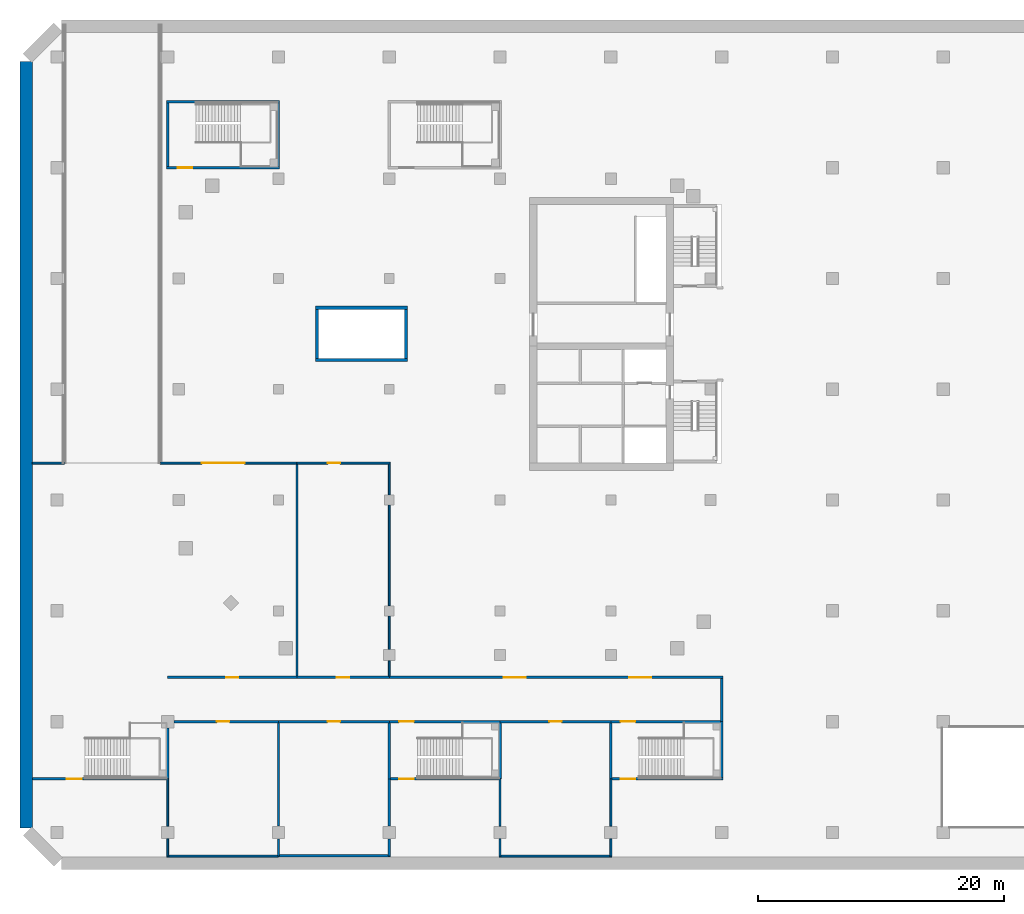
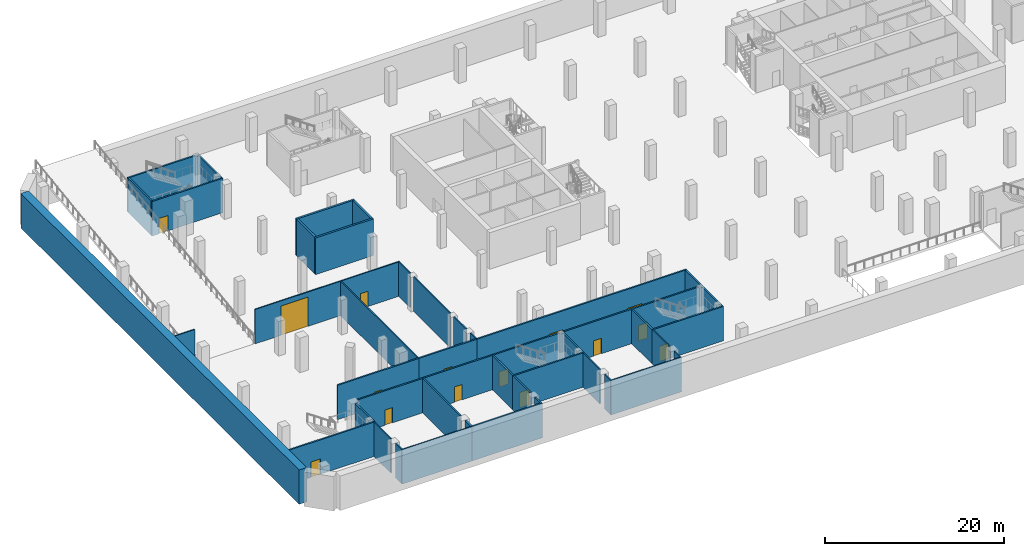
# One storey, part 4 of 19: 47 walls, 15 doors, 15 openings.
"""IFC4 building model written with IfcOpenShell, lengths in metres."""

from ifc_helpers import new_model, si_unit, direction, frame, frame_2d, origin, place, context, subcontext, project, spatial, rectangle, extrude, material, layer, layer_set, type_object, element, fill, save


model = new_model("IFC4")

# Units and contexts
model_context = context("Model", 3, precision=1e-05, world=origin(), true_north=direction((0.0, 1.0)))
body_context = subcontext(model_context, "Body", "Model", "MODEL_VIEW")
ifc_project = project(units=[si_unit("LENGTHUNIT", "METRE"), si_unit("AREAUNIT", "SQUARE_METRE"), si_unit("VOLUMEUNIT", "CUBIC_METRE"), si_unit("PLANEANGLEUNIT", "RADIAN"), si_unit("MASSUNIT", "GRAM", prefix="KILO")], contexts=[model_context])

# Site, building, storey
site_placement = place(None, origin())
site = spatial("IfcSite", under=ifc_project, at=site_placement, CompositionType="ELEMENT")
building_placement = place(site_placement, origin())
building = spatial("IfcBuilding", under=site, at=building_placement, Name="Cinnabar Reach Civic Tower", CompositionType="ELEMENT")
storey_placement = place(building_placement, frame((0.0, 0.0, -5.0)))
storey = spatial("IfcBuildingStorey", under=building, at=storey_placement, Name="B1", CompositionType="ELEMENT", Elevation=-5.0)

# Wall
ifc_material_1 = material(Name="Concrete C70", Category="concrete")
ifc_layer_1 = layer(ifc_material_1, 1.0)
ifc_layer_set_1 = layer_set([ifc_layer_1], Name="Basement wall 1000 EI 180")
wall_type_1 = type_object("IfcWallType", Name="Basement wall 1000 EI 180", PredefinedType="SOLIDWALL", material=ifc_layer_set_1)
wall_1_placement = place(storey_placement, frame((-83.5, -8.6408, 0.0), z_axis=(0.0, 0.0, 1.0), x_axis=(0.0, 1.0, 0.0)))
element("IfcWall", 1, at=wall_1_placement, inside=storey, type_object=wall_type_1, Name="Basement wall B1 2", PredefinedType="SOLIDWALL", context=body_context, shape_type="SweptSolid", body=[
    extrude(rectangle(XDim=62.2816, YDim=1.0, at=frame_2d((31.1408, 0.0))), origin(), (0.0, 0.0, 1.0), 4.7),
])

# Wall, opening, door
ifc_material_2 = material(Name="Concrete blockwork", Category="masonry")
ifc_layer_2 = layer(ifc_material_2, 0.2)
ifc_layer_set_2 = layer_set([ifc_layer_2], Name="Podium masonry corridor wall 200 EI 120")
wall_type_2 = type_object("IfcWallType", Name="Podium masonry corridor wall 200 EI 120", PredefinedType="PARTITIONING", material=ifc_layer_set_2)
wall_2_placement = place(storey_placement, frame((-71.48, 0.0, 0.0), z_axis=(0.0, 0.0, 1.0), x_axis=(1.0, 0.0, 0.0)))
wall_2 = element("IfcWall", 2, at=wall_2_placement, inside=storey, type_object=wall_type_2, Name="Wall B1 35", PredefinedType="PARTITIONING", context=body_context, shape_type="SweptSolid", body=[
    extrude(rectangle(XDim=8.48, YDim=0.2, at=frame_2d((4.24, 0.0))), origin(), (0.0, 0.0, 1.0), 4.7),
])
opening_1_placement = place(wall_2_placement, frame((3.48, 0.0, 0.0)))
opening_1 = element("IfcOpeningElement", 3, at=opening_1_placement, cuts=wall_2, Name="Opening D1297", PredefinedType="OPENING", context=body_context, shape_type="SweptSolid", body=[
    extrude(rectangle(XDim=1.0, YDim=2.1, at=frame_2d((0.5, 1.05))), frame((0.0, 0.11, 0.0), z_axis=(0.0, -1.0, 0.0), x_axis=(1.0, 0.0, 0.0)), (0.0, 0.0, 1.0), 0.22),
])
ifc_material_3 = material(Name="Painted steel door leaf", Category="steel")
door_type_1 = type_object("IfcDoorType", Name="Podium single door 1000x2100", OperationType="SINGLE_SWING_LEFT", PredefinedType="DOOR", material=ifc_material_3)
door_1_placement = place(opening_1_placement, frame((1.0, 0.0, 0.0), z_axis=(0.0, 0.0, 1.0), x_axis=(-1.0, 0.0, 0.0)))
door_1 = element("IfcDoor", 4, at=door_1_placement, inside=storey, type_object=door_type_1, Name="Door D1297", OperationType="SINGLE_SWING_RIGHT", OverallHeight=2.1, OverallWidth=1.0, PredefinedType="DOOR", context=body_context, shape_type="SweptSolid", body=[
    extrude(rectangle(XDim=1.0, YDim=2.1, at=frame_2d((0.5, 1.05))), frame((0.0, 0.025, 0.0), z_axis=(0.0, -1.0, 0.0), x_axis=(1.0, 0.0, 0.0)), (0.0, 0.0, 1.0), 0.05),
])
fill(opening_1, door_1)

wall_3_placement = place(storey_placement, frame((-63.0, 0.0, 0.0), z_axis=(0.0, 0.0, 1.0), x_axis=(1.0, 0.0, 0.0)))
wall_3 = element("IfcWall", 5, at=wall_3_placement, inside=storey, type_object=wall_type_2, Name="Wall B1 36", PredefinedType="PARTITIONING", context=body_context, shape_type="SweptSolid", body=[
    extrude(rectangle(XDim=9.0, YDim=0.2, at=frame_2d((4.5, 0.0))), origin(), (0.0, 0.0, 1.0), 4.7),
])
opening_2_placement = place(wall_3_placement, frame((4.0, 0.0, 0.0)))
opening_2 = element("IfcOpeningElement", 6, at=opening_2_placement, cuts=wall_3, Name="Opening D1298", PredefinedType="OPENING", context=body_context, shape_type="SweptSolid", body=[
    extrude(rectangle(XDim=1.0, YDim=2.1, at=frame_2d((0.5, 1.05))), frame((0.0, 0.11, 0.0), z_axis=(0.0, -1.0, 0.0), x_axis=(1.0, 0.0, 0.0)), (0.0, 0.0, 1.0), 0.22),
])
door_2_placement = place(opening_2_placement, frame((1.0, 0.0, 0.0), z_axis=(0.0, 0.0, 1.0), x_axis=(-1.0, 0.0, 0.0)))
door_2 = element("IfcDoor", 7, at=door_2_placement, inside=storey, type_object=door_type_1, Name="Door D1298", OperationType="SINGLE_SWING_LEFT", OverallHeight=2.1, OverallWidth=1.0, PredefinedType="DOOR", context=body_context, shape_type="SweptSolid", body=[
    extrude(rectangle(XDim=1.0, YDim=2.1, at=frame_2d((0.5, 1.05))), frame((0.0, 0.025, 0.0), z_axis=(0.0, -1.0, 0.0), x_axis=(1.0, 0.0, 0.0)), (0.0, 0.0, 1.0), 0.05),
])
fill(opening_2, door_2)

wall_4_placement = place(storey_placement, frame((-45.0, 0.0, 0.0), z_axis=(0.0, 0.0, 1.0), x_axis=(1.0, 0.0, 0.0)))
wall_4 = element("IfcWall", 8, at=wall_4_placement, inside=storey, type_object=wall_type_2, Name="Wall B1 37", PredefinedType="PARTITIONING", context=body_context, shape_type="SweptSolid", body=[
    extrude(rectangle(XDim=9.0, YDim=0.2, at=frame_2d((4.5, 0.0))), origin(), (0.0, 0.0, 1.0), 4.7),
])
opening_3_placement = place(wall_4_placement, frame((4.0, 0.0, 0.0)))
opening_3 = element("IfcOpeningElement", 9, at=opening_3_placement, cuts=wall_4, Name="Opening D1299", PredefinedType="OPENING", context=body_context, shape_type="SweptSolid", body=[
    extrude(rectangle(XDim=1.0, YDim=2.1, at=frame_2d((0.5, 1.05))), frame((0.0, 0.11, 0.0), z_axis=(0.0, -1.0, 0.0), x_axis=(1.0, 0.0, 0.0)), (0.0, 0.0, 1.0), 0.22),
])
door_3_placement = place(opening_3_placement, frame((1.0, 0.0, 0.0), z_axis=(0.0, 0.0, 1.0), x_axis=(-1.0, 0.0, 0.0)))
door_3 = element("IfcDoor", 10, at=door_3_placement, inside=storey, type_object=door_type_1, Name="Door D1299", OperationType="SINGLE_SWING_RIGHT", OverallHeight=2.1, OverallWidth=1.0, PredefinedType="DOOR", context=body_context, shape_type="SweptSolid", body=[
    extrude(rectangle(XDim=1.0, YDim=2.1, at=frame_2d((0.5, 1.05))), frame((0.0, 0.025, 0.0), z_axis=(0.0, -1.0, 0.0), x_axis=(1.0, 0.0, 0.0)), (0.0, 0.0, 1.0), 0.05),
])
fill(opening_3, door_3)

wall_5_placement = place(storey_placement, frame((-72.0, 3.6, 0.0), z_axis=(0.0, 0.0, 1.0), x_axis=(1.0, 0.0, 0.0)))
wall_5 = element("IfcWall", 11, at=wall_5_placement, inside=storey, type_object=wall_type_2, Name="Wall B1 38", PredefinedType="PARTITIONING", context=body_context, shape_type="SweptSolid", body=[
    extrude(rectangle(XDim=10.5, YDim=0.2, at=frame_2d((5.25, 0.0))), origin(), (0.0, 0.0, 1.0), 4.7),
])
opening_4_placement = place(wall_5_placement, frame((4.75, 0.0, 0.0)))
opening_4 = element("IfcOpeningElement", 12, at=opening_4_placement, cuts=wall_5, Name="Opening D1301", PredefinedType="OPENING", context=body_context, shape_type="SweptSolid", body=[
    extrude(rectangle(XDim=1.0, YDim=2.1, at=frame_2d((0.5, 1.05))), frame((0.0, 0.11, 0.0), z_axis=(0.0, -1.0, 0.0), x_axis=(1.0, 0.0, 0.0)), (0.0, 0.0, 1.0), 0.22),
])
door_4_placement = place(opening_4_placement, origin())
door_4 = element("IfcDoor", 13, at=door_4_placement, inside=storey, type_object=door_type_1, Name="Door D1301", OperationType="SINGLE_SWING_LEFT", OverallHeight=2.1, OverallWidth=1.0, PredefinedType="DOOR", context=body_context, shape_type="SweptSolid", body=[
    extrude(rectangle(XDim=1.0, YDim=2.1, at=frame_2d((0.5, 1.05))), frame((0.0, 0.025, 0.0), z_axis=(0.0, -1.0, 0.0), x_axis=(1.0, 0.0, 0.0)), (0.0, 0.0, 1.0), 0.05),
])
fill(opening_4, door_4)

wall_6_placement = place(storey_placement, frame((-61.5, 3.6, 0.0), z_axis=(0.0, 0.0, 1.0), x_axis=(1.0, 0.0, 0.0)))
wall_6 = element("IfcWall", 14, at=wall_6_placement, inside=storey, type_object=wall_type_2, Name="Wall B1 39", PredefinedType="PARTITIONING", context=body_context, shape_type="SweptSolid", body=[
    extrude(rectangle(XDim=7.5, YDim=0.2, at=frame_2d((3.75, 0.0))), origin(), (0.0, 0.0, 1.0), 4.7),
])
opening_5_placement = place(wall_6_placement, frame((3.25, 0.0, 0.0)))
opening_5 = element("IfcOpeningElement", 15, at=opening_5_placement, cuts=wall_6, Name="Opening D1303", PredefinedType="OPENING", context=body_context, shape_type="SweptSolid", body=[
    extrude(rectangle(XDim=1.0, YDim=2.1, at=frame_2d((0.5, 1.05))), frame((0.0, 0.11, 0.0), z_axis=(0.0, -1.0, 0.0), x_axis=(1.0, 0.0, 0.0)), (0.0, 0.0, 1.0), 0.22),
])
door_5_placement = place(opening_5_placement, origin())
door_5 = element("IfcDoor", 16, at=door_5_placement, inside=storey, type_object=door_type_1, Name="Door D1303", OperationType="SINGLE_SWING_LEFT", OverallHeight=2.1, OverallWidth=1.0, PredefinedType="DOOR", context=body_context, shape_type="SweptSolid", body=[
    extrude(rectangle(XDim=1.0, YDim=2.1, at=frame_2d((0.5, 1.05))), frame((0.0, 0.025, 0.0), z_axis=(0.0, -1.0, 0.0), x_axis=(1.0, 0.0, 0.0)), (0.0, 0.0, 1.0), 0.05),
])
fill(opening_5, door_5)

# Wall, openings, doors
wall_7_placement = place(storey_placement, frame((-54.0, 3.6, 0.0), z_axis=(0.0, 0.0, 1.0), x_axis=(1.0, 0.0, 0.0)))
wall_7 = element("IfcWall", 17, at=wall_7_placement, inside=storey, type_object=wall_type_2, Name="Wall B1 40", PredefinedType="PARTITIONING", context=body_context, shape_type="SweptSolid", body=[
    extrude(rectangle(XDim=27.1, YDim=0.2, at=frame_2d((13.55, 0.0))), origin(), (0.0, 0.0, 1.0), 4.7),
])
opening_6_placement = place(wall_7_placement, frame((9.3, 0.0, 0.0)))
opening_6 = element("IfcOpeningElement", 18, at=opening_6_placement, cuts=wall_7, Name="Opening D1293", PredefinedType="OPENING", context=body_context, shape_type="SweptSolid", body=[
    extrude(rectangle(XDim=1.8, YDim=2.1, at=frame_2d((0.9, 1.05))), frame((0.0, 0.11, 0.0), z_axis=(0.0, -1.0, 0.0), x_axis=(1.0, 0.0, 0.0)), (0.0, 0.0, 1.0), 0.22),
])
opening_7_placement = place(wall_7_placement, frame((19.5, 0.0, 0.0)))
opening_7 = element("IfcOpeningElement", 19, at=opening_7_placement, cuts=wall_7, Name="Opening D1294", PredefinedType="OPENING", context=body_context, shape_type="SweptSolid", body=[
    extrude(rectangle(XDim=1.8, YDim=2.1, at=frame_2d((0.9, 1.05))), frame((0.0, 0.11, 0.0), z_axis=(0.0, -1.0, 0.0), x_axis=(1.0, 0.0, 0.0)), (0.0, 0.0, 1.0), 0.22),
])
door_type_2 = type_object("IfcDoorType", Name="Podium double door 1800x2100", OperationType="DOUBLE_DOOR_SINGLE_SWING", PredefinedType="DOOR", material=ifc_material_3)
door_6_placement = place(opening_6_placement, origin())
door_6 = element("IfcDoor", 20, at=door_6_placement, inside=storey, type_object=door_type_2, Name="Door D1293", OperationType="DOUBLE_DOOR_SINGLE_SWING", OverallHeight=2.1, OverallWidth=1.8, PredefinedType="DOOR", context=body_context, shape_type="SweptSolid", body=[
    extrude(rectangle(XDim=1.8, YDim=2.1, at=frame_2d((0.9, 1.05))), frame((0.0, 0.025, 0.0), z_axis=(0.0, -1.0, 0.0), x_axis=(1.0, 0.0, 0.0)), (0.0, 0.0, 1.0), 0.05),
])
fill(opening_6, door_6)
door_7_placement = place(opening_7_placement, origin())
door_7 = element("IfcDoor", 21, at=door_7_placement, inside=storey, type_object=door_type_2, Name="Door D1294", OperationType="DOUBLE_DOOR_SINGLE_SWING", OverallHeight=2.1, OverallWidth=1.8, PredefinedType="DOOR", context=body_context, shape_type="SweptSolid", body=[
    extrude(rectangle(XDim=1.8, YDim=2.1, at=frame_2d((0.9, 1.05))), frame((0.0, 0.025, 0.0), z_axis=(0.0, -1.0, 0.0), x_axis=(1.0, 0.0, 0.0)), (0.0, 0.0, 1.0), 0.05),
])
fill(opening_7, door_7)

# Walls
wall_8_placement = place(storey_placement, frame((-27.0, 0.0, 0.0), z_axis=(0.0, 0.0, 1.0), x_axis=(0.0, 1.0, 0.0)))
element("IfcWall", 22, at=wall_8_placement, inside=storey, type_object=wall_type_2, Name="Wall B1 41", PredefinedType="PARTITIONING", context=body_context, shape_type="SweptSolid", body=[
    extrude(rectangle(XDim=3.5, YDim=0.2, at=frame_2d((1.75, 0.0))), origin(), (0.0, 0.0, 1.0), 4.7),
])
wall_9_placement = place(storey_placement, frame((-63.0, -10.9, 0.0), z_axis=(0.0, 0.0, 1.0), x_axis=(0.0, 1.0, 0.0)))
element("IfcWall", 23, at=wall_9_placement, inside=storey, type_object=wall_type_2, Name="Wall B1 42", PredefinedType="PARTITIONING", context=body_context, shape_type="SweptSolid", body=[
    extrude(rectangle(XDim=1.38, YDim=0.2, at=frame_2d((0.69, 0.0))), origin(), (0.0, 0.0, 1.0), 4.7),
])
wall_10_placement = place(storey_placement, frame((-63.0, -8.48, 0.0), z_axis=(0.0, 0.0, 1.0), x_axis=(0.0, 1.0, 0.0)))
element("IfcWall", 24, at=wall_10_placement, inside=storey, type_object=wall_type_2, Name="Wall B1 43", PredefinedType="PARTITIONING", context=body_context, shape_type="SweptSolid", body=[
    extrude(rectangle(XDim=8.38, YDim=0.2, at=frame_2d((4.19, 0.0))), origin(), (0.0, 0.0, 1.0), 4.7),
])
wall_11_placement = place(storey_placement, frame((-54.0, -10.9, 0.0), z_axis=(0.0, 0.0, 1.0), x_axis=(0.0, 1.0, 0.0)))
element("IfcWall", 25, at=wall_11_placement, inside=storey, type_object=wall_type_2, Name="Wall B1 47", PredefinedType="PARTITIONING", context=body_context, shape_type="SweptSolid", body=[
    extrude(rectangle(XDim=1.38, YDim=0.2, at=frame_2d((0.69, 0.0))), origin(), (0.0, 0.0, 1.0), 4.7),
])
wall_12_placement = place(storey_placement, frame((-54.0, -8.48, 0.0), z_axis=(0.0, 0.0, 1.0), x_axis=(0.0, 1.0, 0.0)))
element("IfcWall", 26, at=wall_12_placement, inside=storey, type_object=wall_type_2, Name="Wall B1 48", PredefinedType="PARTITIONING", context=body_context, shape_type="SweptSolid", body=[
    extrude(rectangle(XDim=3.83, YDim=0.2, at=frame_2d((1.915, 0.0))), origin(), (0.0, 0.0, 1.0), 4.7),
])
wall_13_placement = place(storey_placement, frame((-63.0, -10.9, 0.0), z_axis=(0.0, 0.0, 1.0), x_axis=(1.0, 0.0, 0.0)))
element("IfcWall", 27, at=wall_13_placement, inside=storey, type_object=wall_type_2, Name="Wall B1 49", PredefinedType="PARTITIONING", context=body_context, shape_type="SweptSolid", body=[
    extrude(rectangle(XDim=9.1, YDim=0.2, at=frame_2d((4.55, 0.0))), origin(), (0.0, 0.0, 1.0), 4.7),
])
ifc_material_4 = material(Name="Gypsum board on steel studs", Category="steel")
ifc_layer_3 = layer(ifc_material_4, 0.15)
ifc_layer_set_3 = layer_set([ifc_layer_3], Name="Podium partition wall 150 EI 90")
wall_type_3 = type_object("IfcWallType", Name="Podium partition wall 150 EI 90", PredefinedType="PARTITIONING", material=ifc_layer_set_3)
wall_14_placement = place(storey_placement, frame((-72.075, -10.925, 0.0), z_axis=(0.0, 0.0, 1.0), x_axis=(1.0, 0.0, 0.0)))
element("IfcWall", 28, at=wall_14_placement, inside=storey, type_object=wall_type_3, Name="Wall B1 44", PredefinedType="PARTITIONING", context=body_context, shape_type="SweptSolid", body=[
    extrude(rectangle(XDim=9.075, YDim=0.15, at=frame_2d((4.5375, 0.0))), origin(), (0.0, 0.0, 1.0), 4.7),
])
wall_15_placement = place(storey_placement, frame((-72.0, -10.925, 0.0), z_axis=(0.0, 0.0, 1.0), x_axis=(0.0, 1.0, 0.0)))
element("IfcWall", 29, at=wall_15_placement, inside=storey, type_object=wall_type_3, Name="Wall B1 45", PredefinedType="PARTITIONING", context=body_context, shape_type="SweptSolid", body=[
    extrude(rectangle(XDim=1.405, YDim=0.15, at=frame_2d((0.7025, 0.0))), origin(), (0.0, 0.0, 1.0), 4.7),
])
wall_16_placement = place(storey_placement, frame((-72.0, -8.48, 0.0), z_axis=(0.0, 0.0, 1.0), x_axis=(0.0, 1.0, 0.0)))
element("IfcWall", 30, at=wall_16_placement, inside=storey, type_object=wall_type_3, Name="Wall B1 46", PredefinedType="PARTITIONING", context=body_context, shape_type="SweptSolid", body=[
    extrude(rectangle(XDim=3.83, YDim=0.15, at=frame_2d((1.915, 0.0))), origin(), (0.0, 0.0, 1.0), 4.7),
])
wall_17_placement = place(storey_placement, frame((-36.0, -10.925, 0.0), z_axis=(0.0, 0.0, 1.0), x_axis=(0.0, 1.0, 0.0)))
element("IfcWall", 31, at=wall_17_placement, inside=storey, type_object=wall_type_3, Name="Wall B1 50", PredefinedType="PARTITIONING", context=body_context, shape_type="SweptSolid", body=[
    extrude(rectangle(XDim=1.405, YDim=0.15, at=frame_2d((0.7025, 0.0))), origin(), (0.0, 0.0, 1.0), 4.7),
])
wall_18_placement = place(storey_placement, frame((-36.0, -8.48, 0.0), z_axis=(0.0, 0.0, 1.0), x_axis=(0.0, 1.0, 0.0)))
element("IfcWall", 32, at=wall_18_placement, inside=storey, type_object=wall_type_3, Name="Wall B1 51", PredefinedType="PARTITIONING", context=body_context, shape_type="SweptSolid", body=[
    extrude(rectangle(XDim=3.83, YDim=0.15, at=frame_2d((1.915, 0.0))), origin(), (0.0, 0.0, 1.0), 4.7),
])
wall_19_placement = place(storey_placement, frame((-45.075, -10.925, 0.0), z_axis=(0.0, 0.0, 1.0), x_axis=(1.0, 0.0, 0.0)))
element("IfcWall", 33, at=wall_19_placement, inside=storey, type_object=wall_type_3, Name="Wall B1 52", PredefinedType="PARTITIONING", context=body_context, shape_type="SweptSolid", body=[
    extrude(rectangle(XDim=9.15, YDim=0.15, at=frame_2d((4.575, 0.0))), origin(), (0.0, 0.0, 1.0), 4.7),
])
wall_20_placement = place(storey_placement, frame((-45.0, -10.925, 0.0), z_axis=(0.0, 0.0, 1.0), x_axis=(0.0, 1.0, 0.0)))
element("IfcWall", 34, at=wall_20_placement, inside=storey, type_object=wall_type_3, Name="Wall B1 53", PredefinedType="PARTITIONING", context=body_context, shape_type="SweptSolid", body=[
    extrude(rectangle(XDim=1.405, YDim=0.15, at=frame_2d((0.7025, 0.0))), origin(), (0.0, 0.0, 1.0), 4.7),
])
wall_21_placement = place(storey_placement, frame((-45.0, -8.48, 0.0), z_axis=(0.0, 0.0, 1.0), x_axis=(0.0, 1.0, 0.0)))
element("IfcWall", 35, at=wall_21_placement, inside=storey, type_object=wall_type_3, Name="Wall B1 54", PredefinedType="PARTITIONING", context=body_context, shape_type="SweptSolid", body=[
    extrude(rectangle(XDim=3.83, YDim=0.15, at=frame_2d((1.915, 0.0))), origin(), (0.0, 0.0, 1.0), 4.7),
])
wall_22_placement = place(storey_placement, frame((-61.5, 3.7, 0.0), z_axis=(0.0, 0.0, 1.0), x_axis=(0.0, 1.0, 0.0)))
element("IfcWall", 36, at=wall_22_placement, inside=storey, type_object=wall_type_3, Name="Wall B1 55", PredefinedType="PARTITIONING", context=body_context, shape_type="SweptSolid", body=[
    extrude(rectangle(XDim=17.225, YDim=0.15, at=frame_2d((8.6125, 0.0))), origin(), (0.0, 0.0, 1.0), 4.7),
])
wall_23_placement = place(storey_placement, frame((-83.0, 21.0, 0.0), z_axis=(0.0, 0.0, 1.0), x_axis=(1.0, 0.0, 0.0)))
element("IfcWall", 37, at=wall_23_placement, inside=storey, type_object=wall_type_3, Name="Wall B1 56", PredefinedType="PARTITIONING", context=body_context, shape_type="SweptSolid", body=[
    extrude(rectangle(XDim=2.6, YDim=0.15, at=frame_2d((1.3, 0.0))), origin(), (0.0, 0.0, 1.0), 4.7),
])

# Wall, opening, door
wall_24_placement = place(storey_placement, frame((-72.6, 21.0, 0.0), z_axis=(0.0, 0.0, 1.0), x_axis=(1.0, 0.0, 0.0)))
wall_24 = element("IfcWall", 38, at=wall_24_placement, inside=storey, type_object=wall_type_3, Name="Wall B1 57", PredefinedType="PARTITIONING", context=body_context, shape_type="SweptSolid", body=[
    extrude(rectangle(XDim=11.1, YDim=0.15, at=frame_2d((5.55, 0.0))), origin(), (0.0, 0.0, 1.0), 4.7),
])
opening_8_placement = place(wall_24_placement, frame((3.35, 0.0, 0.0)))
opening_8 = element("IfcOpeningElement", 39, at=opening_8_placement, cuts=wall_24, Name="Opening D1300", PredefinedType="OPENING", context=body_context, shape_type="SweptSolid", body=[
    extrude(rectangle(XDim=3.5, YDim=4.0, at=frame_2d((1.75, 2.0))), frame((0.0, 0.085, 0.0), z_axis=(0.0, -1.0, 0.0), x_axis=(1.0, 0.0, 0.0)), (0.0, 0.0, 1.0), 0.17),
])
ifc_material_5 = material(Name="Galvanised steel shutter", Category="steel")
door_type_3 = type_object("IfcDoorType", Name="Podium roller shutter 3500x4000", OperationType="ROLLINGUP", PredefinedType="GATE", material=ifc_material_5)
door_8_placement = place(opening_8_placement, origin())
door_8 = element("IfcDoor", 40, at=door_8_placement, inside=storey, type_object=door_type_3, Name="Door D1300", OperationType="ROLLINGUP", OverallHeight=4.0, OverallWidth=3.5, PredefinedType="GATE", context=body_context, shape_type="SweptSolid", body=[
    extrude(rectangle(XDim=3.5, YDim=4.0, at=frame_2d((1.75, 2.0))), frame((0.0, 0.025, 0.0), z_axis=(0.0, -1.0, 0.0), x_axis=(1.0, 0.0, 0.0)), (0.0, 0.0, 1.0), 0.05),
])
fill(opening_8, door_8)

wall_25_placement = place(storey_placement, frame((-61.5, 21.0, 0.0), z_axis=(0.0, 0.0, 1.0), x_axis=(1.0, 0.0, 0.0)))
wall_25 = element("IfcWall", 41, at=wall_25_placement, inside=storey, type_object=wall_type_3, Name="Wall B1 58", PredefinedType="PARTITIONING", context=body_context, shape_type="SweptSolid", body=[
    extrude(rectangle(XDim=7.575, YDim=0.15, at=frame_2d((3.7875, 0.0))), origin(), (0.0, 0.0, 1.0), 4.7),
])
opening_9_placement = place(wall_25_placement, frame((2.5, 0.0, 0.0)))
opening_9 = element("IfcOpeningElement", 42, at=opening_9_placement, cuts=wall_25, Name="Opening D1302", PredefinedType="OPENING", context=body_context, shape_type="SweptSolid", body=[
    extrude(rectangle(XDim=1.0, YDim=2.1, at=frame_2d((0.5, 1.05))), frame((0.0, 0.085, 0.0), z_axis=(0.0, -1.0, 0.0), x_axis=(1.0, 0.0, 0.0)), (0.0, 0.0, 1.0), 0.17),
])
door_9_placement = place(opening_9_placement, frame((1.0, 0.0, 0.0), z_axis=(0.0, 0.0, 1.0), x_axis=(-1.0, 0.0, 0.0)))
door_9 = element("IfcDoor", 43, at=door_9_placement, inside=storey, type_object=door_type_1, Name="Door D1302", OperationType="SINGLE_SWING_LEFT", OverallHeight=2.1, OverallWidth=1.0, PredefinedType="DOOR", context=body_context, shape_type="SweptSolid", body=[
    extrude(rectangle(XDim=1.0, YDim=2.1, at=frame_2d((0.5, 1.05))), frame((0.0, 0.025, 0.0), z_axis=(0.0, -1.0, 0.0), x_axis=(1.0, 0.0, 0.0)), (0.0, 0.0, 1.0), 0.05),
])
fill(opening_9, door_9)

# Walls
wall_26_placement = place(storey_placement, frame((-54.0, 3.7, 0.0), z_axis=(0.0, 0.0, 1.0), x_axis=(0.0, 1.0, 0.0)))
element("IfcWall", 44, at=wall_26_placement, inside=storey, type_object=wall_type_3, Name="Wall B1 59", PredefinedType="PARTITIONING", context=body_context, shape_type="SweptSolid", body=[
    extrude(rectangle(XDim=1.23, YDim=0.15, at=frame_2d((0.615, 0.0))), origin(), (0.0, 0.0, 1.0), 4.7),
])
wall_27_placement = place(storey_placement, frame((-54.0, 5.87, 0.0), z_axis=(0.0, 0.0, 1.0), x_axis=(0.0, 1.0, 0.0)))
element("IfcWall", 45, at=wall_27_placement, inside=storey, type_object=wall_type_3, Name="Wall B1 60", PredefinedType="PARTITIONING", context=body_context, shape_type="SweptSolid", body=[
    extrude(rectangle(XDim=2.71, YDim=0.15, at=frame_2d((1.355, 0.0))), origin(), (0.0, 0.0, 1.0), 4.7),
])
wall_28_placement = place(storey_placement, frame((-54.0, 9.42, 0.0), z_axis=(0.0, 0.0, 1.0), x_axis=(0.0, 1.0, 0.0)))
element("IfcWall", 46, at=wall_28_placement, inside=storey, type_object=wall_type_3, Name="Wall B1 61", PredefinedType="PARTITIONING", context=body_context, shape_type="SweptSolid", body=[
    extrude(rectangle(XDim=8.16, YDim=0.15, at=frame_2d((4.08, 0.0))), origin(), (0.0, 0.0, 1.0), 4.7),
])
wall_29_placement = place(storey_placement, frame((-54.0, 18.42, 0.0), z_axis=(0.0, 0.0, 1.0), x_axis=(0.0, 1.0, 0.0)))
element("IfcWall", 47, at=wall_29_placement, inside=storey, type_object=wall_type_3, Name="Wall B1 62", PredefinedType="PARTITIONING", context=body_context, shape_type="SweptSolid", body=[
    extrude(rectangle(XDim=2.505, YDim=0.15, at=frame_2d((1.2525, 0.0))), origin(), (0.0, 0.0, 1.0), 4.7),
])
ifc_material_6 = material(Name="Concrete C40", Category="concrete")
ifc_layer_4 = layer(ifc_material_6, 0.2)
ifc_layer_set_4 = layer_set([ifc_layer_4], Name="Podium stair shaft wall 200 EI 120")
wall_type_4 = type_object("IfcWallType", Name="Podium stair shaft wall 200 EI 120", PredefinedType="SOLIDWALL", material=ifc_layer_set_4)
wall_30_placement = place(storey_placement, frame((-72.0, -4.65, 0.0), z_axis=(0.0, 0.0, 1.0), x_axis=(0.0, 1.0, 0.0)))
element("IfcWall", 48, at=wall_30_placement, inside=storey, type_object=wall_type_4, Name="Wall B1 1", PredefinedType="SOLIDWALL", context=body_context, shape_type="SweptSolid", body=[
    extrude(rectangle(XDim=4.13, YDim=0.2, at=frame_2d((2.065, 0.0))), origin(), (0.0, 0.0, 1.0), 4.7),
])

# Wall, opening, door
wall_31_placement = place(storey_placement, frame((-83.0, -4.65, 0.0), z_axis=(0.0, 0.0, 1.0), x_axis=(1.0, 0.0, 0.0)))
wall_31 = element("IfcWall", 49, at=wall_31_placement, inside=storey, type_object=wall_type_4, Name="Wall B1 2", PredefinedType="SOLIDWALL", context=body_context, shape_type="SweptSolid", body=[
    extrude(rectangle(XDim=10.9, YDim=0.2, at=frame_2d((5.45, 0.0))), origin(), (0.0, 0.0, 1.0), 4.7),
])
opening_10_placement = place(wall_31_placement, frame((2.8, 0.0, 0.0)))
opening_10 = element("IfcOpeningElement", 50, at=opening_10_placement, cuts=wall_31, Name="Opening D1284", PredefinedType="OPENING", context=body_context, shape_type="SweptSolid", body=[
    extrude(rectangle(XDim=1.2, YDim=2.1, at=frame_2d((0.6, 1.05))), frame((0.0, 0.11, 0.0), z_axis=(0.0, -1.0, 0.0), x_axis=(1.0, 0.0, 0.0)), (0.0, 0.0, 1.0), 0.22),
])
door_type_4 = type_object("IfcDoorType", Name="Podium single door 1200x2100", OperationType="SINGLE_SWING_LEFT", PredefinedType="DOOR", material=ifc_material_3)
door_10_placement = place(opening_10_placement, origin())
door_10 = element("IfcDoor", 51, at=door_10_placement, inside=storey, type_object=door_type_4, Name="Door D1284", OperationType="SINGLE_SWING_LEFT", OverallHeight=2.1, OverallWidth=1.2, PredefinedType="DOOR", context=body_context, shape_type="SweptSolid", body=[
    extrude(rectangle(XDim=1.2, YDim=2.1, at=frame_2d((0.6, 1.05))), frame((0.0, 0.025, 0.0), z_axis=(0.0, -1.0, 0.0), x_axis=(1.0, 0.0, 0.0)), (0.0, 0.0, 1.0), 0.05),
])
fill(opening_10, door_10)

# Walls
wall_32_placement = place(storey_placement, frame((-72.1, 50.35, 0.0), z_axis=(0.0, 0.0, 1.0), x_axis=(1.0, 0.0, 0.0)))
element("IfcWall", 52, at=wall_32_placement, inside=storey, type_object=wall_type_4, Name="Wall B1 3", PredefinedType="SOLIDWALL", context=body_context, shape_type="SweptSolid", body=[
    extrude(rectangle(XDim=9.2, YDim=0.2, at=frame_2d((4.6, 0.0))), origin(), (0.0, 0.0, 1.0), 4.7),
])
wall_33_placement = place(storey_placement, frame((-63.0, 45.1, 0.0), z_axis=(0.0, 0.0, 1.0), x_axis=(0.0, 1.0, 0.0)))
element("IfcWall", 53, at=wall_33_placement, inside=storey, type_object=wall_type_4, Name="Wall B1 4", PredefinedType="SOLIDWALL", context=body_context, shape_type="SweptSolid", body=[
    extrude(rectangle(XDim=5.15, YDim=0.2, at=frame_2d((2.575, 0.0))), origin(), (0.0, 0.0, 1.0), 4.7),
])

# Wall, opening, door
wall_34_placement = place(storey_placement, frame((-72.1, 45.0, 0.0), z_axis=(0.0, 0.0, 1.0), x_axis=(1.0, 0.0, 0.0)))
wall_34 = element("IfcWall", 54, at=wall_34_placement, inside=storey, type_object=wall_type_4, Name="Wall B1 5", PredefinedType="SOLIDWALL", context=body_context, shape_type="SweptSolid", body=[
    extrude(rectangle(XDim=9.2, YDim=0.2, at=frame_2d((4.6, 0.0))), origin(), (0.0, 0.0, 1.0), 4.7),
])
opening_11_placement = place(wall_34_placement, frame((0.9, 0.0, 0.0)))
opening_11 = element("IfcOpeningElement", 55, at=opening_11_placement, cuts=wall_34, Name="Opening D1285", PredefinedType="OPENING", context=body_context, shape_type="SweptSolid", body=[
    extrude(rectangle(XDim=1.2, YDim=2.1, at=frame_2d((0.6, 1.05))), frame((0.0, 0.11, 0.0), z_axis=(0.0, -1.0, 0.0), x_axis=(1.0, 0.0, 0.0)), (0.0, 0.0, 1.0), 0.22),
])
door_11_placement = place(opening_11_placement, origin())
door_11 = element("IfcDoor", 56, at=door_11_placement, inside=storey, type_object=door_type_4, Name="Door D1285", OperationType="SINGLE_SWING_LEFT", OverallHeight=2.1, OverallWidth=1.2, PredefinedType="DOOR", context=body_context, shape_type="SweptSolid", body=[
    extrude(rectangle(XDim=1.2, YDim=2.1, at=frame_2d((0.6, 1.05))), frame((0.0, 0.025, 0.0), z_axis=(0.0, -1.0, 0.0), x_axis=(1.0, 0.0, 0.0)), (0.0, 0.0, 1.0), 0.05),
])
fill(opening_11, door_11)

# Wall
wall_35_placement = place(storey_placement, frame((-72.0, 45.1, 0.0), z_axis=(0.0, 0.0, 1.0), x_axis=(0.0, 1.0, 0.0)))
element("IfcWall", 57, at=wall_35_placement, inside=storey, type_object=wall_type_4, Name="Wall B1 6", PredefinedType="SOLIDWALL", context=body_context, shape_type="SweptSolid", body=[
    extrude(rectangle(XDim=5.15, YDim=0.2, at=frame_2d((2.575, 0.0))), origin(), (0.0, 0.0, 1.0), 4.7),
])

# Wall, opening, door
wall_36_placement = place(storey_placement, frame((-54.0, 0.0, 0.0), z_axis=(0.0, 0.0, 1.0), x_axis=(1.0, 0.0, 0.0)))
wall_36 = element("IfcWall", 58, at=wall_36_placement, inside=storey, type_object=wall_type_4, Name="Wall B1 27", PredefinedType="SOLIDWALL", context=body_context, shape_type="SweptSolid", body=[
    extrude(rectangle(XDim=9.0, YDim=0.2, at=frame_2d((4.5, 0.0))), origin(), (0.0, 0.0, 1.0), 4.7),
])
opening_12_placement = place(wall_36_placement, frame((0.8, 0.0, 0.0)))
opening_12 = element("IfcOpeningElement", 59, at=opening_12_placement, cuts=wall_36, Name="Opening D1295", PredefinedType="OPENING", context=body_context, shape_type="SweptSolid", body=[
    extrude(rectangle(XDim=1.2, YDim=2.1, at=frame_2d((0.6, 1.05))), frame((0.0, 0.11, 0.0), z_axis=(0.0, -1.0, 0.0), x_axis=(1.0, 0.0, 0.0)), (0.0, 0.0, 1.0), 0.22),
])
door_12_placement = place(opening_12_placement, frame((1.2, 0.0, 0.0), z_axis=(0.0, 0.0, 1.0), x_axis=(-1.0, 0.0, 0.0)))
door_12 = element("IfcDoor", 60, at=door_12_placement, inside=storey, type_object=door_type_4, Name="Door D1295", OperationType="SINGLE_SWING_LEFT", OverallHeight=2.1, OverallWidth=1.2, PredefinedType="DOOR", context=body_context, shape_type="SweptSolid", body=[
    extrude(rectangle(XDim=1.2, YDim=2.1, at=frame_2d((0.6, 1.05))), frame((0.0, 0.025, 0.0), z_axis=(0.0, -1.0, 0.0), x_axis=(1.0, 0.0, 0.0)), (0.0, 0.0, 1.0), 0.05),
])
fill(opening_12, door_12)

# Walls
for number, where, z_axis, x_axis, name in (
    (61, (-54.0, -4.65, 0.0), (0.0, 0.0, 1.0), (0.0, 1.0, 0.0), "Wall B1 28"),
    (62, (-45.0, -4.65, 0.0), (0.0, 0.0, 1.0), (0.0, 1.0, 0.0), "Wall B1 29"),
):
    element("IfcWall", number, at=place(storey_placement, frame(where, z_axis=z_axis, x_axis=x_axis)), inside=storey, type_object=wall_type_4, Name=name, PredefinedType="SOLIDWALL", context=body_context, shape_type="SweptSolid", body=[
        extrude(rectangle(XDim=4.55, YDim=0.2, at=frame_2d((2.275, 0.0))), origin(), (0.0, 0.0, 1.0), 4.7),
    ])

# Wall, opening, door
wall_37_placement = place(storey_placement, frame((-53.9, -4.65, 0.0), z_axis=(0.0, 0.0, 1.0), x_axis=(1.0, 0.0, 0.0)))
wall_37 = element("IfcWall", 63, at=wall_37_placement, inside=storey, type_object=wall_type_4, Name="Wall B1 30", PredefinedType="SOLIDWALL", context=body_context, shape_type="SweptSolid", body=[
    extrude(rectangle(XDim=8.8, YDim=0.2, at=frame_2d((4.4, 0.0))), origin(), (0.0, 0.0, 1.0), 4.7),
])
opening_13_placement = place(wall_37_placement, frame((0.7, 0.0, 0.0)))
opening_13 = element("IfcOpeningElement", 64, at=opening_13_placement, cuts=wall_37, Name="Opening D1291", PredefinedType="OPENING", context=body_context, shape_type="SweptSolid", body=[
    extrude(rectangle(XDim=1.2, YDim=2.1, at=frame_2d((0.6, 1.05))), frame((0.0, 0.11, 0.0), z_axis=(0.0, -1.0, 0.0), x_axis=(1.0, 0.0, 0.0)), (0.0, 0.0, 1.0), 0.22),
])
door_13_placement = place(opening_13_placement, origin())
door_13 = element("IfcDoor", 65, at=door_13_placement, inside=storey, type_object=door_type_4, Name="Door D1291", OperationType="SINGLE_SWING_LEFT", OverallHeight=2.1, OverallWidth=1.2, PredefinedType="DOOR", context=body_context, shape_type="SweptSolid", body=[
    extrude(rectangle(XDim=1.2, YDim=2.1, at=frame_2d((0.6, 1.05))), frame((0.0, 0.025, 0.0), z_axis=(0.0, -1.0, 0.0), x_axis=(1.0, 0.0, 0.0)), (0.0, 0.0, 1.0), 0.05),
])
fill(opening_13, door_13)

wall_38_placement = place(storey_placement, frame((-36.0, 0.0, 0.0), z_axis=(0.0, 0.0, 1.0), x_axis=(1.0, 0.0, 0.0)))
wall_38 = element("IfcWall", 66, at=wall_38_placement, inside=storey, type_object=wall_type_4, Name="Wall B1 31", PredefinedType="SOLIDWALL", context=body_context, shape_type="SweptSolid", body=[
    extrude(rectangle(XDim=8.9, YDim=0.2, at=frame_2d((4.45, 0.0))), origin(), (0.0, 0.0, 1.0), 4.7),
])
opening_14_placement = place(wall_38_placement, frame((0.8, 0.0, 0.0)))
opening_14 = element("IfcOpeningElement", 67, at=opening_14_placement, cuts=wall_38, Name="Opening D1296", PredefinedType="OPENING", context=body_context, shape_type="SweptSolid", body=[
    extrude(rectangle(XDim=1.2, YDim=2.1, at=frame_2d((0.6, 1.05))), frame((0.0, 0.11, 0.0), z_axis=(0.0, -1.0, 0.0), x_axis=(1.0, 0.0, 0.0)), (0.0, 0.0, 1.0), 0.22),
])
door_14_placement = place(opening_14_placement, frame((1.2, 0.0, 0.0), z_axis=(0.0, 0.0, 1.0), x_axis=(-1.0, 0.0, 0.0)))
door_14 = element("IfcDoor", 68, at=door_14_placement, inside=storey, type_object=door_type_4, Name="Door D1296", OperationType="SINGLE_SWING_LEFT", OverallHeight=2.1, OverallWidth=1.2, PredefinedType="DOOR", context=body_context, shape_type="SweptSolid", body=[
    extrude(rectangle(XDim=1.2, YDim=2.1, at=frame_2d((0.6, 1.05))), frame((0.0, 0.025, 0.0), z_axis=(0.0, -1.0, 0.0), x_axis=(1.0, 0.0, 0.0)), (0.0, 0.0, 1.0), 0.05),
])
fill(opening_14, door_14)

# Walls
for number, where, z_axis, x_axis, name in (
    (69, (-36.0, -4.65, 0.0), (0.0, 0.0, 1.0), (0.0, 1.0, 0.0), "Wall B1 32"),
    (70, (-27.0, -4.55, 0.0), (0.0, 0.0, 1.0), (0.0, 1.0, 0.0), "Wall B1 33"),
):
    element("IfcWall", number, at=place(storey_placement, frame(where, z_axis=z_axis, x_axis=x_axis)), inside=storey, type_object=wall_type_4, Name=name, PredefinedType="SOLIDWALL", context=body_context, shape_type="SweptSolid", body=[
        extrude(rectangle(XDim=4.55, YDim=0.2, at=frame_2d((2.275, 0.0))), origin(), (0.0, 0.0, 1.0), 4.7),
    ])

# Wall, opening, door
wall_39_placement = place(storey_placement, frame((-35.9, -4.65, 0.0), z_axis=(0.0, 0.0, 1.0), x_axis=(1.0, 0.0, 0.0)))
wall_39 = element("IfcWall", 71, at=wall_39_placement, inside=storey, type_object=wall_type_4, Name="Wall B1 34", PredefinedType="SOLIDWALL", context=body_context, shape_type="SweptSolid", body=[
    extrude(rectangle(XDim=9.0, YDim=0.2, at=frame_2d((4.5, 0.0))), origin(), (0.0, 0.0, 1.0), 4.7),
])
opening_15_placement = place(wall_39_placement, frame((0.7, 0.0, 0.0)))
opening_15 = element("IfcOpeningElement", 72, at=opening_15_placement, cuts=wall_39, Name="Opening D1292", PredefinedType="OPENING", context=body_context, shape_type="SweptSolid", body=[
    extrude(rectangle(XDim=1.2, YDim=2.1, at=frame_2d((0.6, 1.05))), frame((0.0, 0.11, 0.0), z_axis=(0.0, -1.0, 0.0), x_axis=(1.0, 0.0, 0.0)), (0.0, 0.0, 1.0), 0.22),
])
door_15_placement = place(opening_15_placement, origin())
door_15 = element("IfcDoor", 73, at=door_15_placement, inside=storey, type_object=door_type_4, Name="Door D1292", OperationType="SINGLE_SWING_RIGHT", OverallHeight=2.1, OverallWidth=1.2, PredefinedType="DOOR", context=body_context, shape_type="SweptSolid", body=[
    extrude(rectangle(XDim=1.2, YDim=2.1, at=frame_2d((0.6, 1.05))), frame((0.0, 0.025, 0.0), z_axis=(0.0, -1.0, 0.0), x_axis=(1.0, 0.0, 0.0)), (0.0, 0.0, 1.0), 0.05),
])
fill(opening_15, door_15)

# Walls
ifc_material_7 = material(Name="Concrete C60", Category="concrete")
ifc_layer_5 = layer(ifc_material_7, 0.25)
ifc_layer_set_5 = layer_set([ifc_layer_5], Name="Stair shaft wall 250 EI 120")
wall_type_5 = type_object("IfcWallType", Name="Stair shaft wall 250 EI 120", PredefinedType="SOLIDWALL", material=ifc_layer_set_5)
for number, where, z_axis, x_axis, name in (
    (74, (-60.0, 29.375, 0.0), (0.0, 0.0, 1.0), (1.0, 0.0, 0.0), "Stair shaft wall T2-S3 B1"),
    (75, (-52.5, 33.625, 0.0), (0.0, 0.0, 1.0), (-1.0, 0.0, 0.0), "Stair shaft wall T2-S3 B1"),
):
    element("IfcWall", number, at=place(storey_placement, frame(where, z_axis=z_axis, x_axis=x_axis)), inside=storey, type_object=wall_type_5, Name=name, PredefinedType="SOLIDWALL", context=body_context, shape_type="SweptSolid", body=[
        extrude(rectangle(XDim=7.5, YDim=0.25, at=frame_2d((3.75, 0.0))), origin(), (0.0, 0.0, 1.0), 5.0),
    ])
for number, where, z_axis, x_axis, name in (
    (76, (-52.625, 29.5, 0.0), (0.0, 0.0, 1.0), (0.0, 1.0, 0.0), "Stair shaft wall T2-S3 B1"),
    (77, (-59.875, 33.5, 0.0), (0.0, 0.0, 1.0), (0.0, -1.0, 0.0), "Stair shaft wall T2-S3 B1"),
):
    element("IfcWall", number, at=place(storey_placement, frame(where, z_axis=z_axis, x_axis=x_axis)), inside=storey, type_object=wall_type_5, Name=name, PredefinedType="SOLIDWALL", context=body_context, shape_type="SweptSolid", body=[
        extrude(rectangle(XDim=4.0, YDim=0.25, at=frame_2d((2.0, 0.0))), origin(), (0.0, 0.0, 1.0), 5.0),
    ])

save(model, "model.ifc")
